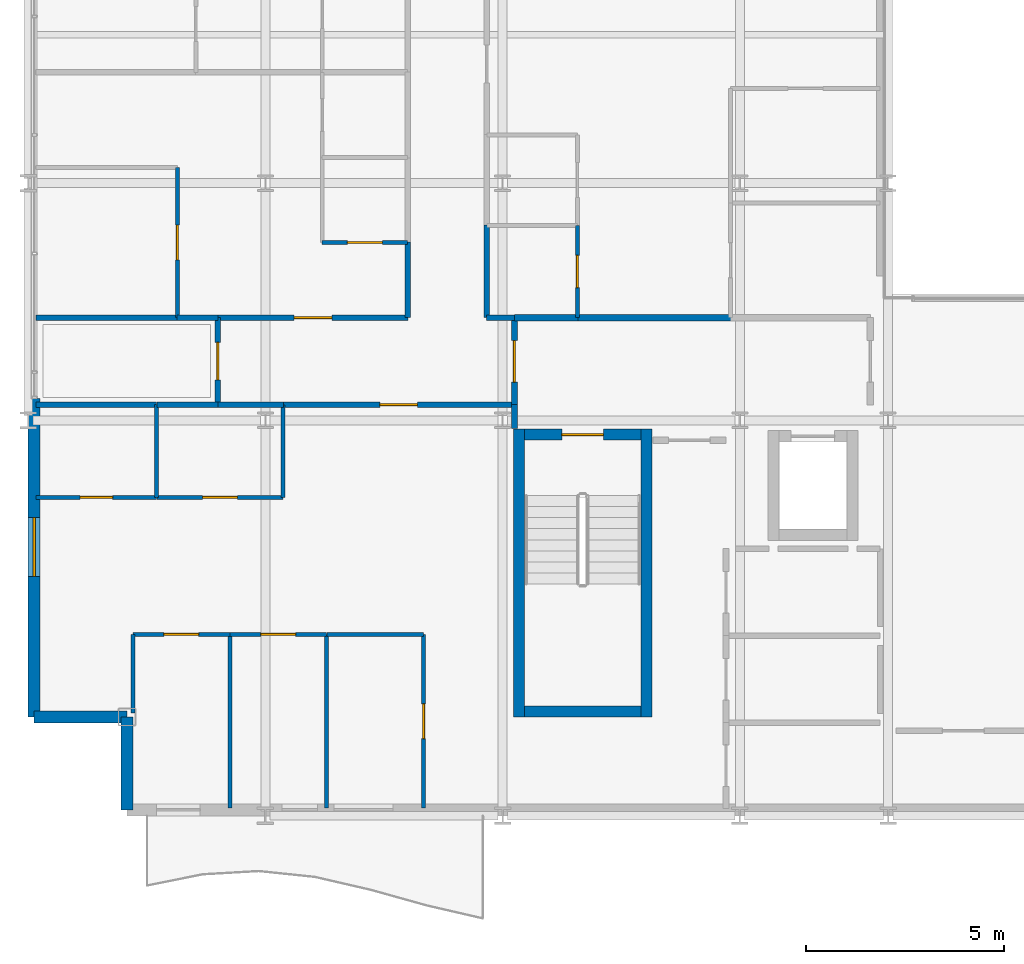
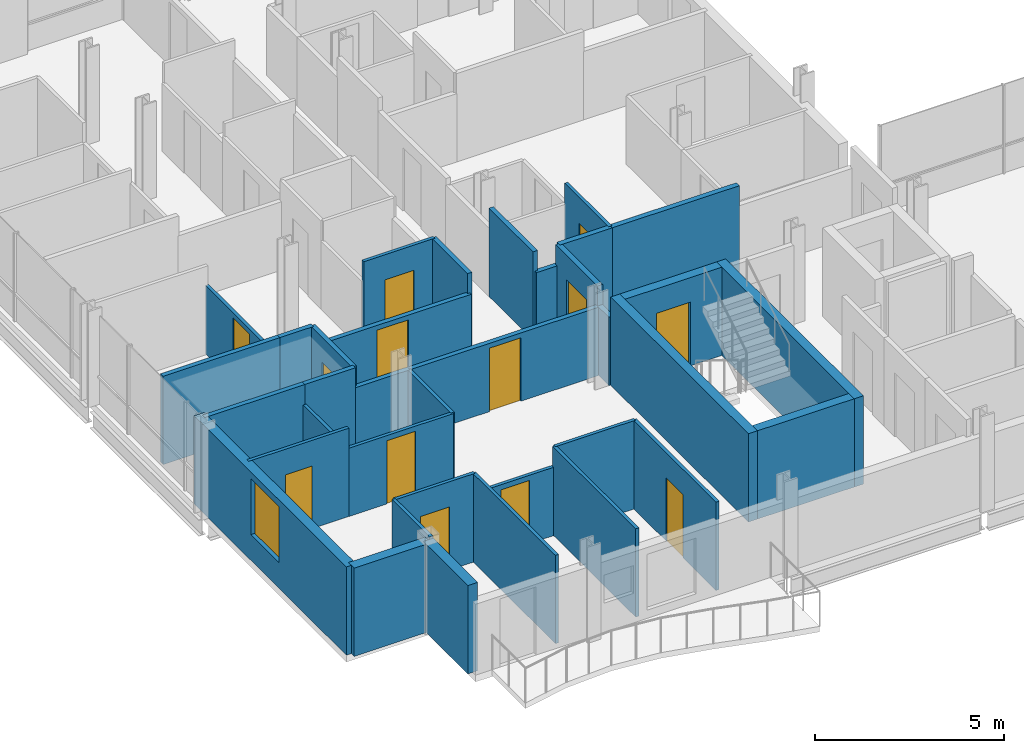
# One storey, part 31 of 40: 36 walls, 13 doors, 1 window, 14 openings.
"""IFC4 building model written with IfcOpenShell, lengths in metres."""

from ifc_helpers import new_model, si_unit, direction, frame, frame_2d, origin, place, context, subcontext, project, spatial, rectangle, extrude, material, layer, layer_set, type_object, element, fill, save


model = new_model("IFC4")

# Units and contexts
model_context = context("Model", 3, precision=1e-05, world=origin(), true_north=direction((0.0, 1.0)))
body_context = subcontext(model_context, "Body", "Model", "MODEL_VIEW")
ifc_project = project(units=[si_unit("LENGTHUNIT", "METRE"), si_unit("AREAUNIT", "SQUARE_METRE"), si_unit("VOLUMEUNIT", "CUBIC_METRE"), si_unit("PLANEANGLEUNIT", "RADIAN"), si_unit("MASSUNIT", "GRAM", prefix="KILO")], contexts=[model_context])

# Site, building, storey
site_placement = place(None, origin())
site = spatial("IfcSite", under=ifc_project, at=site_placement, CompositionType="ELEMENT")
building_placement = place(site_placement, origin())
building = spatial("IfcBuilding", under=site, at=building_placement, Name="Brevholm Reach", CompositionType="ELEMENT")
storey_placement = place(building_placement, frame((0.0, 0.0, 131.39990234375)))
storey = spatial("IfcBuildingStorey", under=building, at=storey_placement, Name="L39", CompositionType="ELEMENT", Elevation=131.39990234375)

# Walls
ifc_material_1 = material(Name="Concrete C50/60", Category="concrete")
ifc_layer_1 = layer(ifc_material_1, 0.280029296875)
ifc_layer_set_1 = layer_set([ifc_layer_1], Name="Concrete C50/60")
wall_type_1 = type_object("IfcWallType", Name="WAL-COR-280", PredefinedType="SHEAR", material=ifc_layer_set_1)
for number, where, z_axis, x_axis, name in (
    (1, (12.409912109375, 2.5, 0.0), (0.0, 0.0, 1.0), (0.0, 1.0, 0.0), "L39 Escape Stair ST-1 Core Wall W"),
    (2, (15.639892578125, 2.5, 0.0), (0.0, 0.0, 1.0), (0.0, 1.0, 0.0), "L39 Escape Stair ST-1 Core Wall E"),
):
    element("IfcWall", number, at=place(storey_placement, frame(where, z_axis=z_axis, x_axis=x_axis)), inside=storey, type_object=wall_type_1, Name=name, PredefinedType="SHEAR", context=body_context, shape_type="SweptSolid", body=[
        extrude(rectangle(XDim=7.280029296875, YDim=0.280029296875, at=frame_2d((3.64013671875, 0.0))), origin(), (0.0, 0.0, 1.0), 2.85009765625),
    ])
wall_1_placement = place(storey_placement, frame((12.550048828125, 2.639892578125, 0.0), z_axis=(0.0, 0.0, 1.0), x_axis=(1.0, 0.0, 0.0)))
element("IfcWall", 3, at=wall_1_placement, inside=storey, type_object=wall_type_1, Name="L39 Escape Stair ST-1 Core Wall S", PredefinedType="SHEAR", context=body_context, shape_type="SweptSolid", body=[
    extrude(rectangle(XDim=2.949951171875, YDim=0.280029296875, at=frame_2d((1.47509765625, 0.0))), origin(), (0.0, 0.0, 1.0), 2.85009765625),
])

# Wall, opening, door
wall_2_placement = place(storey_placement, frame((15.5, 9.639892578125, 0.0), z_axis=(0.0, 0.0, 1.0), x_axis=(-1.0, 0.0, 0.0)))
wall_2 = element("IfcWall", 4, at=wall_2_placement, inside=storey, type_object=wall_type_1, Name="L39 Escape Stair ST-1 Core Wall N", PredefinedType="SHEAR", context=body_context, shape_type="SweptSolid", body=[
    extrude(rectangle(XDim=2.949951171875, YDim=0.280029296875, at=frame_2d((1.47509765625, 0.0))), origin(), (0.0, 0.0, 1.0), 2.85009765625),
])
opening_1_placement = place(wall_2_placement, frame((0.949951171875, 0.0, 0.0)))
opening_1 = element("IfcOpeningElement", 5, at=opening_1_placement, cuts=wall_2, Name="Opening SD-ST-1", PredefinedType="OPENING", context=body_context, shape_type="SweptSolid", body=[
    extrude(rectangle(XDim=1.050048828125, YDim=2.06005859375, at=frame_2d((0.52490234375, 1.030029296875))), frame((0.0, 0.14990234375, 0.0), z_axis=(0.0, -1.0, 0.0), x_axis=(1.0, 0.0, 0.0)), (0.0, 0.0, 1.0), 0.300048828125),
])
ifc_material_2 = material(Name="Hardwood-Lipped Steel-Core Fire and Smoke Door", Category="steel")
door_type_1 = type_object("IfcDoorType", Name="DOR-INT-FD60S", OperationType="NOTDEFINED", PredefinedType="DOOR", material=ifc_material_2)
door_1_placement = place(opening_1_placement, origin())
door_1 = element("IfcDoor", 6, at=door_1_placement, inside=storey, type_object=door_type_1, Name="L39 Protected Stair ST-1 Lobby Door", OperationType="SINGLE_SWING_LEFT", OverallHeight=2.06005859375, OverallWidth=1.050048828125, PredefinedType="DOOR", context=body_context, shape_type="SweptSolid", body=[
    extrude(rectangle(XDim=1.050048828125, YDim=2.06005859375, at=frame_2d((0.52490234375, 1.030029296875))), frame((0.0, 0.02490234375, 0.0), z_axis=(0.0, -1.0, 0.0), x_axis=(1.0, 0.0, 0.0)), (0.0, 0.0, 1.0), 0.050048828125),
])
fill(opening_1, door_1)

# Walls
ifc_material_3 = material(Name="Concrete C40/50", Category="concrete")
ifc_layer_2 = layer(ifc_material_3, 0.300048828125)
ifc_layer_set_2 = layer_set([ifc_layer_2], Name="Concrete C40/50")
wall_type_2 = type_object("IfcWallType", Name="WAL-EXT-300", PredefinedType="STANDARD", material=ifc_layer_set_2)
for number, where, z_axis, x_axis, name in (
    (7, (2.5, 2.5, 0.0), (0.0, 0.0, 1.0), (0.0, -1.0, 0.0), "L39 Facade Wall WAL-L39-CSW1"),
    (8, (0.14990234375, 2.5, 0.0), (0.0, 0.0, 1.0), (1.0, 0.0, 0.0), "L39 Facade Wall WAL-L39-CSW2"),
):
    element("IfcWall", number, at=place(storey_placement, frame(where, z_axis=z_axis, x_axis=x_axis)), inside=storey, type_object=wall_type_2, Name=name, PredefinedType="STANDARD", context=body_context, shape_type="SweptSolid", body=[
        extrude(rectangle(XDim=2.35009765625, YDim=0.300048828125, at=frame_2d((1.175048828125, 0.0))), origin(), (0.0, 0.0, 1.0), 2.85009765625),
    ])

# Wall, opening, window
wall_3_placement = place(storey_placement, frame((0.14990234375, 10.550048828125, 0.0), z_axis=(0.0, 0.0, 1.0), x_axis=(0.0, -1.0, 0.0)))
wall_3 = element("IfcWall", 9, at=wall_3_placement, inside=storey, type_object=wall_type_2, Name="L39 Facade Wall WAL-L39-W-S", PredefinedType="STANDARD", context=body_context, shape_type="SweptSolid", body=[
    extrude(rectangle(XDim=8.050048828125, YDim=0.300048828125, at=frame_2d((4.02490234375, 0.0))), origin(), (0.0, 0.0, 1.0), 2.85009765625),
])
opening_2_placement = place(wall_3_placement, frame((3.0, 0.0, 0.830078125)))
opening_2 = element("IfcOpeningElement", 10, at=opening_2_placement, cuts=wall_3, Name="Opening WN-05", PredefinedType="OPENING", context=body_context, shape_type="SweptSolid", body=[
    extrude(rectangle(XDim=1.5, YDim=1.800048828125, at=frame_2d((0.75, 0.89990234375))), frame((0.0, 0.159912109375, 0.0), z_axis=(0.0, -1.0, 0.0), x_axis=(1.0, 0.0, 0.0)), (0.0, 0.0, 1.0), 0.320068359375),
])
ifc_material_4 = material(Name="Dark Anodised Aluminium and Solar-Control IGU Glass", Category="aluminium")
window_type = type_object("IfcWindowType", Name="WIN-RES-1500", PartitioningType="SINGLE_PANEL", PredefinedType="WINDOW", material=ifc_material_4)
window_placement = place(opening_2_placement, origin())
window = element("IfcWindow", 11, at=window_placement, inside=storey, type_object=window_type, Name="L39 Window WIN-L39-WS-1", OverallHeight=1.800048828125, OverallWidth=1.5, PartitioningType="SINGLE_PANEL", PredefinedType="WINDOW", context=body_context, shape_type="SweptSolid", body=[
    extrude(rectangle(XDim=1.5, YDim=1.800048828125, at=frame_2d((0.75, 0.89990234375))), frame((0.0, 0.030029296875, 0.0), z_axis=(0.0, -1.0, 0.0), x_axis=(1.0, 0.0, 0.0)), (0.0, 0.0, 1.0), 0.06005859375),
])
fill(opening_2, window)

# Wall
ifc_material_5 = material(Name="Moisture-Resistant Acoustic Gypsum Stud Partition 100 mm", Category="gypsum")
ifc_layer_3 = layer(ifc_material_5, 0.10009765625)
ifc_layer_set_3 = layer_set([ifc_layer_3], Name="Moisture-Resistant Acoustic Gypsum Stud Partition 100 mm")
wall_type_3 = type_object("IfcWallType", Name="WAL-PRT-100", PredefinedType="PARTITIONING", material=ifc_layer_set_3)
wall_4_placement = place(storey_placement, frame((3.25, 8.053955078125, 0.0), z_axis=(0.0, 0.0, 1.0), x_axis=(0.0, 1.0, 0.0)))
element("IfcWall", 12, at=wall_4_placement, inside=storey, type_object=wall_type_3, Name="L39 Internal Partition 063", PredefinedType="PARTITIONING", context=body_context, shape_type="SweptSolid", body=[
    extrude(rectangle(XDim=2.345947265625, YDim=0.10009765625, at=frame_2d((1.1728515625, 0.0))), origin(), (0.0, 0.0, 1.0), 2.204833984375),
])

# Wall, opening, door
wall_5_placement = place(storey_placement, frame((0.199951171875, 8.053955078125, 0.0), z_axis=(0.0, 0.0, 1.0), x_axis=(1.0, 0.0, 0.0)))
wall_5 = element("IfcWall", 13, at=wall_5_placement, inside=storey, type_object=wall_type_3, Name="L39 Internal Partition 064", PredefinedType="PARTITIONING", context=body_context, shape_type="SweptSolid", body=[
    extrude(rectangle(XDim=3.050048828125, YDim=0.10009765625, at=frame_2d((1.52490234375, 0.0))), origin(), (0.0, 0.0, 1.0), 2.85009765625),
])
opening_3_placement = place(wall_5_placement, frame((1.114990234375, 0.0, 0.0)))
opening_3 = element("IfcOpeningElement", 14, at=opening_3_placement, cuts=wall_5, Name="Opening ID-03", PredefinedType="OPENING", context=body_context, shape_type="SweptSolid", body=[
    extrude(rectangle(XDim=0.820068359375, YDim=2.02001953125, at=frame_2d((0.41015625, 1.010009765625))), frame((0.0, 0.06005859375, 0.0), z_axis=(0.0, -1.0, 0.0), x_axis=(1.0, 0.0, 0.0)), (0.0, 0.0, 1.0), 0.1201171875),
])
ifc_material_6 = material(Name="Moisture-Resistant Painted Timber Internal Bathroom Door", Category="wood")
door_type_2 = type_object("IfcDoorType", Name="DOR-BATH-820", OperationType="NOTDEFINED", PredefinedType="DOOR", material=ifc_material_6)
door_2_placement = place(opening_3_placement, origin())
door_2 = element("IfcDoor", 15, at=door_2_placement, inside=storey, type_object=door_type_2, Name="L39 Internal Door 025", OperationType="SINGLE_SWING_RIGHT", OverallHeight=2.02001953125, OverallWidth=0.820068359375, PredefinedType="DOOR", context=body_context, shape_type="SweptSolid", body=[
    extrude(rectangle(XDim=0.820068359375, YDim=2.02001953125, at=frame_2d((0.41015625, 1.010009765625))), frame((0.0, 0.02490234375, 0.0), z_axis=(0.0, -1.0, 0.0), x_axis=(1.0, 0.0, 0.0)), (0.0, 0.0, 1.0), 0.050048828125),
])
fill(opening_3, door_2)

wall_6_placement = place(storey_placement, frame((3.25390625, 8.053955078125, 0.0), z_axis=(0.0, 0.0, 1.0), x_axis=(1.0, 0.0, 0.0)))
wall_6 = element("IfcWall", 16, at=wall_6_placement, inside=storey, type_object=wall_type_3, Name="L39 Internal Partition 066", PredefinedType="PARTITIONING", context=body_context, shape_type="SweptSolid", body=[
    extrude(rectangle(XDim=3.196044921875, YDim=0.10009765625, at=frame_2d((1.59814453125, 0.0))), origin(), (0.0, 0.0, 1.0), 2.204833984375),
])
opening_4_placement = place(wall_6_placement, frame((1.157958984375, 0.0, 0.0)))
opening_4 = element("IfcOpeningElement", 17, at=opening_4_placement, cuts=wall_6, Name="Opening ID-01", PredefinedType="OPENING", context=body_context, shape_type="SweptSolid", body=[
    extrude(rectangle(XDim=0.8798828125, YDim=2.0400390625, at=frame_2d((0.43994140625, 1.02001953125))), frame((0.0, 0.06005859375, 0.0), z_axis=(0.0, -1.0, 0.0), x_axis=(1.0, 0.0, 0.0)), (0.0, 0.0, 1.0), 0.1201171875),
])
ifc_material_7 = material(Name="Lacquered Ash Solid-Core Acoustic Internal Door", Category="timber")
door_type_3 = type_object("IfcDoorType", Name="DOR-INT-880", OperationType="NOTDEFINED", PredefinedType="DOOR", material=ifc_material_7)
door_3_placement = place(opening_4_placement, origin())
door_3 = element("IfcDoor", 18, at=door_3_placement, inside=storey, type_object=door_type_3, Name="L39 Internal Door 026", OperationType="SINGLE_SWING_LEFT", OverallHeight=2.0400390625, OverallWidth=0.8798828125, PredefinedType="DOOR", context=body_context, shape_type="SweptSolid", body=[
    extrude(rectangle(XDim=0.8798828125, YDim=2.0400390625, at=frame_2d((0.43994140625, 1.02001953125))), frame((0.0, 0.02490234375, 0.0), z_axis=(0.0, -1.0, 0.0), x_axis=(1.0, 0.0, 0.0)), (0.0, 0.0, 1.0), 0.050048828125),
])
fill(opening_4, door_3)

# Walls
wall_7_placement = place(storey_placement, frame((6.449951171875, 8.053955078125, 0.0), z_axis=(0.0, 0.0, 1.0), x_axis=(0.0, 1.0, 0.0)))
element("IfcWall", 19, at=wall_7_placement, inside=storey, type_object=wall_type_3, Name="L39 Internal Partition 067", PredefinedType="PARTITIONING", context=body_context, shape_type="SweptSolid", body=[
    extrude(rectangle(XDim=2.342041015625, YDim=0.10009765625, at=frame_2d((1.1708984375, 0.0))), origin(), (0.0, 0.0, 1.0), 2.204833984375),
])
wall_8_placement = place(storey_placement, frame((5.10009765625, 0.199951171875, 0.0), z_axis=(0.0, 0.0, 1.0), x_axis=(0.0, 1.0, 0.0)))
element("IfcWall", 20, at=wall_8_placement, inside=storey, type_object=wall_type_3, Name="L39 Internal Partition 069", PredefinedType="PARTITIONING", context=body_context, shape_type="SweptSolid", body=[
    extrude(rectangle(XDim=4.385986328125, YDim=0.10009765625, at=frame_2d((2.19287109375, 0.0))), origin(), (0.0, 0.0, 1.0), 2.85009765625),
])
wall_9_placement = place(storey_placement, frame((2.64990234375, 2.599365234375, 0.0), z_axis=(0.0, 0.0, 1.0), x_axis=(0.0, 1.0, 0.0)))
element("IfcWall", 21, at=wall_9_placement, inside=storey, type_object=wall_type_3, Name="L39 Internal Partition 070", PredefinedType="PARTITIONING", context=body_context, shape_type="SweptSolid", body=[
    extrude(rectangle(XDim=1.986572265625, YDim=0.10009765625, at=frame_2d((0.9931640625, 0.0))), origin(), (0.0, 0.0, 1.0), 2.85009765625),
])

# Wall, opening, door
wall_10_placement = place(storey_placement, frame((2.64990234375, 4.5859375, 0.0), z_axis=(0.0, 0.0, 1.0), x_axis=(1.0, 0.0, 0.0)))
wall_10 = element("IfcWall", 22, at=wall_10_placement, inside=storey, type_object=wall_type_3, Name="L39 Internal Partition 071", PredefinedType="PARTITIONING", context=body_context, shape_type="SweptSolid", body=[
    extrude(rectangle(XDim=2.4501953125, YDim=0.10009765625, at=frame_2d((1.22509765625, 0.0))), origin(), (0.0, 0.0, 1.0), 2.85009765625),
])
opening_5_placement = place(wall_10_placement, frame((0.784912109375, 0.0, 0.0)))
opening_5 = element("IfcOpeningElement", 23, at=opening_5_placement, cuts=wall_10, Name="Opening ID-01", PredefinedType="OPENING", context=body_context, shape_type="SweptSolid", body=[
    extrude(rectangle(XDim=0.8798828125, YDim=2.0400390625, at=frame_2d((0.43994140625, 1.02001953125))), frame((0.0, 0.06005859375, 0.0), z_axis=(0.0, -1.0, 0.0), x_axis=(1.0, 0.0, 0.0)), (0.0, 0.0, 1.0), 0.1201171875),
])
door_4_placement = place(opening_5_placement, origin())
door_4 = element("IfcDoor", 24, at=door_4_placement, inside=storey, type_object=door_type_3, Name="L39 Internal Door 027", OperationType="SINGLE_SWING_RIGHT", OverallHeight=2.0400390625, OverallWidth=0.8798828125, PredefinedType="DOOR", context=body_context, shape_type="SweptSolid", body=[
    extrude(rectangle(XDim=0.8798828125, YDim=2.0400390625, at=frame_2d((0.43994140625, 1.02001953125))), frame((0.0, 0.02490234375, 0.0), z_axis=(0.0, -1.0, 0.0), x_axis=(1.0, 0.0, 0.0)), (0.0, 0.0, 1.0), 0.050048828125),
])
fill(opening_5, door_4)

# Wall
wall_11_placement = place(storey_placement, frame((7.550048828125, 0.199951171875, 0.0), z_axis=(0.0, 0.0, 1.0), x_axis=(0.0, 1.0, 0.0)))
element("IfcWall", 25, at=wall_11_placement, inside=storey, type_object=wall_type_3, Name="L39 Internal Partition 072", PredefinedType="PARTITIONING", context=body_context, shape_type="SweptSolid", body=[
    extrude(rectangle(XDim=4.385986328125, YDim=0.10009765625, at=frame_2d((2.19287109375, 0.0))), origin(), (0.0, 0.0, 1.0), 2.85009765625),
])

# Wall, opening, door
wall_12_placement = place(storey_placement, frame((5.10400390625, 4.5859375, 0.0), z_axis=(0.0, 0.0, 1.0), x_axis=(1.0, 0.0, 0.0)))
wall_12 = element("IfcWall", 26, at=wall_12_placement, inside=storey, type_object=wall_type_3, Name="L39 Internal Partition 073", PredefinedType="PARTITIONING", context=body_context, shape_type="SweptSolid", body=[
    extrude(rectangle(XDim=2.446044921875, YDim=0.10009765625, at=frame_2d((1.22314453125, 0.0))), origin(), (0.0, 0.0, 1.0), 2.204833984375),
])
opening_6_placement = place(wall_12_placement, frame((0.782958984375, 0.0, 0.0)))
opening_6 = element("IfcOpeningElement", 27, at=opening_6_placement, cuts=wall_12, Name="Opening ID-01", PredefinedType="OPENING", context=body_context, shape_type="SweptSolid", body=[
    extrude(rectangle(XDim=0.8798828125, YDim=2.0400390625, at=frame_2d((0.43994140625, 1.02001953125))), frame((0.0, 0.06005859375, 0.0), z_axis=(0.0, -1.0, 0.0), x_axis=(1.0, 0.0, 0.0)), (0.0, 0.0, 1.0), 0.1201171875),
])
door_5_placement = place(opening_6_placement, origin())
door_5 = element("IfcDoor", 28, at=door_5_placement, inside=storey, type_object=door_type_3, Name="L39 Internal Door 028", OperationType="SINGLE_SWING_LEFT", OverallHeight=2.0400390625, OverallWidth=0.8798828125, PredefinedType="DOOR", context=body_context, shape_type="SweptSolid", body=[
    extrude(rectangle(XDim=0.8798828125, YDim=2.0400390625, at=frame_2d((0.43994140625, 1.02001953125))), frame((0.0, 0.02490234375, 0.0), z_axis=(0.0, -1.0, 0.0), x_axis=(1.0, 0.0, 0.0)), (0.0, 0.0, 1.0), 0.050048828125),
])
fill(opening_6, door_5)

wall_13_placement = place(storey_placement, frame((10.0, 0.199951171875, 0.0), z_axis=(0.0, 0.0, 1.0), x_axis=(0.0, 1.0, 0.0)))
wall_13 = element("IfcWall", 29, at=wall_13_placement, inside=storey, type_object=wall_type_3, Name="L39 Internal Partition 074", PredefinedType="PARTITIONING", context=body_context, shape_type="SweptSolid", body=[
    extrude(rectangle(XDim=4.385986328125, YDim=0.10009765625, at=frame_2d((2.19287109375, 0.0))), origin(), (0.0, 0.0, 1.0), 2.85009765625),
])
opening_7_placement = place(wall_13_placement, frame((1.7529296875, 0.0, 0.0)))
opening_7 = element("IfcOpeningElement", 30, at=opening_7_placement, cuts=wall_13, Name="Opening ID-01", PredefinedType="OPENING", context=body_context, shape_type="SweptSolid", body=[
    extrude(rectangle(XDim=0.8798828125, YDim=2.0400390625, at=frame_2d((0.43994140625, 1.02001953125))), frame((0.0, 0.06005859375, 0.0), z_axis=(0.0, -1.0, 0.0), x_axis=(1.0, 0.0, 0.0)), (0.0, 0.0, 1.0), 0.1201171875),
])
door_6_placement = place(opening_7_placement, origin())
door_6 = element("IfcDoor", 31, at=door_6_placement, inside=storey, type_object=door_type_3, Name="L39 Internal Door 029", OperationType="SINGLE_SWING_RIGHT", OverallHeight=2.0400390625, OverallWidth=0.8798828125, PredefinedType="DOOR", context=body_context, shape_type="SweptSolid", body=[
    extrude(rectangle(XDim=0.8798828125, YDim=2.0400390625, at=frame_2d((0.43994140625, 1.02001953125))), frame((0.0, 0.02490234375, 0.0), z_axis=(0.0, -1.0, 0.0), x_axis=(1.0, 0.0, 0.0)), (0.0, 0.0, 1.0), 0.050048828125),
])
fill(opening_7, door_6)

# Wall
wall_14_placement = place(storey_placement, frame((7.553955078125, 4.5859375, 0.0), z_axis=(0.0, 0.0, 1.0), x_axis=(1.0, 0.0, 0.0)))
element("IfcWall", 32, at=wall_14_placement, inside=storey, type_object=wall_type_3, Name="L39 Internal Partition 075", PredefinedType="PARTITIONING", context=body_context, shape_type="SweptSolid", body=[
    extrude(rectangle(XDim=2.446044921875, YDim=0.10009765625, at=frame_2d((1.22314453125, 0.0))), origin(), (0.0, 0.0, 1.0), 2.85009765625),
])

# Wall, opening, door
wall_15_placement = place(storey_placement, frame((7.43798828125, 14.5, 0.0), z_axis=(0.0, 0.0, 1.0), x_axis=(1.0, 0.0, 0.0)))
wall_15 = element("IfcWall", 33, at=wall_15_placement, inside=storey, type_object=wall_type_3, Name="L39 Internal Partition 091", PredefinedType="PARTITIONING", context=body_context, shape_type="SweptSolid", body=[
    extrude(rectangle(XDim=2.157958984375, YDim=0.10009765625, at=frame_2d((1.0791015625, 0.0))), origin(), (0.0, 0.0, 1.0), 2.85009765625),
])
opening_8_placement = place(wall_15_placement, frame((0.638916015625, 0.0, 0.0)))
opening_8 = element("IfcOpeningElement", 34, at=opening_8_placement, cuts=wall_15, Name="Opening ID-01", PredefinedType="OPENING", context=body_context, shape_type="SweptSolid", body=[
    extrude(rectangle(XDim=0.8798828125, YDim=2.0400390625, at=frame_2d((0.43994140625, 1.02001953125))), frame((0.0, 0.06005859375, 0.0), z_axis=(0.0, -1.0, 0.0), x_axis=(1.0, 0.0, 0.0)), (0.0, 0.0, 1.0), 0.1201171875),
])
door_7_placement = place(opening_8_placement, origin())
door_7 = element("IfcDoor", 35, at=door_7_placement, inside=storey, type_object=door_type_3, Name="L39 Internal Door 034", OperationType="SINGLE_SWING_LEFT", OverallHeight=2.0400390625, OverallWidth=0.8798828125, PredefinedType="DOOR", context=body_context, shape_type="SweptSolid", body=[
    extrude(rectangle(XDim=0.8798828125, YDim=2.0400390625, at=frame_2d((0.43994140625, 1.02001953125))), frame((0.0, 0.02490234375, 0.0), z_axis=(0.0, -1.0, 0.0), x_axis=(1.0, 0.0, 0.0)), (0.0, 0.0, 1.0), 0.050048828125),
])
fill(opening_8, door_7)

wall_16_placement = place(storey_placement, frame((3.77197265625, 12.60400390625, 0.0), z_axis=(0.0, 0.0, 1.0), x_axis=(0.0, 1.0, 0.0)))
wall_16 = element("IfcWall", 36, at=wall_16_placement, inside=storey, type_object=wall_type_3, Name="L39 Internal Partition 093", PredefinedType="PARTITIONING", context=body_context, shape_type="SweptSolid", body=[
    extrude(rectangle(XDim=3.7958984375, YDim=0.10009765625, at=frame_2d((1.89794921875, 0.0))), origin(), (0.0, 0.0, 1.0), 2.204833984375),
])
opening_9_placement = place(wall_16_placement, frame((1.4580078125, 0.0, 0.0)))
opening_9 = element("IfcOpeningElement", 37, at=opening_9_placement, cuts=wall_16, Name="Opening ID-01", PredefinedType="OPENING", context=body_context, shape_type="SweptSolid", body=[
    extrude(rectangle(XDim=0.8798828125, YDim=2.0400390625, at=frame_2d((0.43994140625, 1.02001953125))), frame((0.0, 0.06005859375, 0.0), z_axis=(0.0, -1.0, 0.0), x_axis=(1.0, 0.0, 0.0)), (0.0, 0.0, 1.0), 0.1201171875),
])
door_8_placement = place(opening_9_placement, origin())
door_8 = element("IfcDoor", 38, at=door_8_placement, inside=storey, type_object=door_type_3, Name="L39 Internal Door 035", OperationType="SINGLE_SWING_RIGHT", OverallHeight=2.0400390625, OverallWidth=0.8798828125, PredefinedType="DOOR", context=body_context, shape_type="SweptSolid", body=[
    extrude(rectangle(XDim=0.8798828125, YDim=2.0400390625, at=frame_2d((0.43994140625, 1.02001953125))), frame((0.0, 0.02490234375, 0.0), z_axis=(0.0, -1.0, 0.0), x_axis=(1.0, 0.0, 0.0)), (0.0, 0.0, 1.0), 0.050048828125),
])
fill(opening_9, door_8)

wall_17_placement = place(storey_placement, frame((13.888916015625, 12.60400390625, 0.0), z_axis=(0.0, 0.0, 1.0), x_axis=(0.0, 1.0, 0.0)))
wall_17 = element("IfcWall", 39, at=wall_17_placement, inside=storey, type_object=wall_type_3, Name="L39 Internal Partition 108", PredefinedType="PARTITIONING", context=body_context, shape_type="SweptSolid", body=[
    extrude(rectangle(XDim=2.323974609375, YDim=0.10009765625, at=frame_2d((1.162109375, 0.0))), origin(), (0.0, 0.0, 1.0), 2.85009765625),
])
opening_10_placement = place(wall_17_placement, frame((0.751953125, 0.0, 0.0)))
opening_10 = element("IfcOpeningElement", 40, at=opening_10_placement, cuts=wall_17, Name="Opening ID-03", PredefinedType="OPENING", context=body_context, shape_type="SweptSolid", body=[
    extrude(rectangle(XDim=0.820068359375, YDim=2.02001953125, at=frame_2d((0.41015625, 1.010009765625))), frame((0.0, 0.06005859375, 0.0), z_axis=(0.0, -1.0, 0.0), x_axis=(1.0, 0.0, 0.0)), (0.0, 0.0, 1.0), 0.1201171875),
])
door_9_placement = place(opening_10_placement, origin())
door_9 = element("IfcDoor", 41, at=door_9_placement, inside=storey, type_object=door_type_2, Name="L39 Internal Door 041", OperationType="SINGLE_SWING_RIGHT", OverallHeight=2.02001953125, OverallWidth=0.820068359375, PredefinedType="DOOR", context=body_context, shape_type="SweptSolid", body=[
    extrude(rectangle(XDim=0.820068359375, YDim=2.02001953125, at=frame_2d((0.41015625, 1.010009765625))), frame((0.0, 0.02490234375, 0.0), z_axis=(0.0, -1.0, 0.0), x_axis=(1.0, 0.0, 0.0)), (0.0, 0.0, 1.0), 0.050048828125),
])
fill(opening_10, door_9)

# Wall
ifc_material_8 = material(Name="Twin-Stud Acoustic Fire-Rated Gypsum Partition 140 mm", Category="gypsum")
ifc_layer_4 = layer(ifc_material_8, 0.139892578125)
ifc_layer_set_4 = layer_set([ifc_layer_4], Name="Twin-Stud Acoustic Fire-Rated Gypsum Partition 140 mm")
wall_type_4 = type_object("IfcWallType", Name="WAL-PRT-140", PredefinedType="PARTITIONING", material=ifc_layer_set_4)
wall_18_placement = place(storey_placement, frame((4.800048828125, 10.39990234375, 0.0), z_axis=(0.0, 0.0, 1.0), x_axis=(1.0, 0.0, 0.0)))
element("IfcWall", 42, at=wall_18_placement, inside=storey, type_object=wall_type_4, Name="L39 Internal Partition 027", PredefinedType="PARTITIONING", context=body_context, shape_type="SweptSolid", body=[
    extrude(rectangle(XDim=1.6611328125, YDim=0.139892578125, at=frame_2d((0.83056640625, 0.0))), origin(), (0.0, 0.0, 1.0), 2.204833984375),
])

# Wall, opening, door
wall_19_placement = place(storey_placement, frame((6.442626953125, 10.39990234375, 0.0), z_axis=(0.0, 0.0, 1.0), x_axis=(1.0, 0.0, 0.0)))
wall_19 = element("IfcWall", 43, at=wall_19_placement, inside=storey, type_object=wall_type_4, Name="L39 Internal Partition 028", PredefinedType="PARTITIONING", context=body_context, shape_type="SweptSolid", body=[
    extrude(rectangle(XDim=5.853271484375, YDim=0.139892578125, at=frame_2d((2.9267578125, 0.0))), origin(), (0.0, 0.0, 1.0), 2.204833984375),
])
opening_11_placement = place(wall_19_placement, frame((2.45166015625, 0.0, 0.0)))
opening_11 = element("IfcOpeningElement", 44, at=opening_11_placement, cuts=wall_19, Name="Opening ID-30", PredefinedType="OPENING", context=body_context, shape_type="SweptSolid", body=[
    extrude(rectangle(XDim=0.949951171875, YDim=2.050048828125, at=frame_2d((0.47509765625, 1.02490234375))), frame((0.0, 0.079833984375, 0.0), z_axis=(0.0, -1.0, 0.0), x_axis=(1.0, 0.0, 0.0)), (0.0, 0.0, 1.0), 0.159912109375),
])
ifc_material_9 = material(Name="European Oak Veneered Solid-Core Fire Entrance Door", Category="timber")
door_type_4 = type_object("IfcDoorType", Name="DOR-FLT-FD30S", OperationType="NOTDEFINED", PredefinedType="DOOR", material=ifc_material_9)
door_10_placement = place(opening_11_placement, origin())
door_10 = element("IfcDoor", 45, at=door_10_placement, inside=storey, type_object=door_type_4, Name="L39 Internal Door 015", OperationType="SINGLE_SWING_RIGHT", OverallHeight=2.050048828125, OverallWidth=0.949951171875, PredefinedType="DOOR", context=body_context, shape_type="SweptSolid", body=[
    extrude(rectangle(XDim=0.949951171875, YDim=2.050048828125, at=frame_2d((0.47509765625, 1.02490234375))), frame((0.0, 0.02490234375, 0.0), z_axis=(0.0, -1.0, 0.0), x_axis=(1.0, 0.0, 0.0)), (0.0, 0.0, 1.0), 0.050048828125),
])
fill(opening_11, door_10)

wall_20_placement = place(storey_placement, frame((4.800048828125, 10.39990234375, 0.0), z_axis=(0.0, 0.0, 1.0), x_axis=(0.0, 1.0, 0.0)))
wall_20 = element("IfcWall", 46, at=wall_20_placement, inside=storey, type_object=wall_type_4, Name="L39 Internal Partition 029", PredefinedType="PARTITIONING", context=body_context, shape_type="SweptSolid", body=[
    extrude(rectangle(XDim=2.2001953125, YDim=0.139892578125, at=frame_2d((1.10009765625, 0.0))), origin(), (0.0, 0.0, 1.0), 2.85009765625),
])
opening_12_placement = place(wall_20_placement, frame((0.625, 0.0, 0.0)))
opening_12 = element("IfcOpeningElement", 47, at=opening_12_placement, cuts=wall_20, Name="Opening ID-30", PredefinedType="OPENING", context=body_context, shape_type="SweptSolid", body=[
    extrude(rectangle(XDim=0.949951171875, YDim=2.050048828125, at=frame_2d((0.47509765625, 1.02490234375))), frame((0.0, 0.079833984375, 0.0), z_axis=(0.0, -1.0, 0.0), x_axis=(1.0, 0.0, 0.0)), (0.0, 0.0, 1.0), 0.159912109375),
])
door_11_placement = place(opening_12_placement, origin())
door_11 = element("IfcDoor", 48, at=door_11_placement, inside=storey, type_object=door_type_4, Name="L39 Internal Door 016", OperationType="SINGLE_SWING_LEFT", OverallHeight=2.050048828125, OverallWidth=0.949951171875, PredefinedType="DOOR", context=body_context, shape_type="SweptSolid", body=[
    extrude(rectangle(XDim=0.949951171875, YDim=2.050048828125, at=frame_2d((0.47509765625, 1.02490234375))), frame((0.0, 0.02490234375, 0.0), z_axis=(0.0, -1.0, 0.0), x_axis=(1.0, 0.0, 0.0)), (0.0, 0.0, 1.0), 0.050048828125),
])
fill(opening_12, door_11)

wall_21_placement = place(storey_placement, frame((4.800048828125, 12.60009765625, 0.0), z_axis=(0.0, 0.0, 1.0), x_axis=(1.0, 0.0, 0.0)))
wall_21 = element("IfcWall", 49, at=wall_21_placement, inside=storey, type_object=wall_type_4, Name="L39 Internal Partition 030", PredefinedType="PARTITIONING", context=body_context, shape_type="SweptSolid", body=[
    extrude(rectangle(XDim=4.807373046875, YDim=0.139892578125, at=frame_2d((2.40380859375, 0.0))), origin(), (0.0, 0.0, 1.0), 2.204833984375),
])
opening_13_placement = place(wall_21_placement, frame((1.9287109375, 0.0, 0.0)))
opening_13 = element("IfcOpeningElement", 50, at=opening_13_placement, cuts=wall_21, Name="Opening ID-30", PredefinedType="OPENING", context=body_context, shape_type="SweptSolid", body=[
    extrude(rectangle(XDim=0.949951171875, YDim=2.050048828125, at=frame_2d((0.47509765625, 1.02490234375))), frame((0.0, 0.079833984375, 0.0), z_axis=(0.0, -1.0, 0.0), x_axis=(1.0, 0.0, 0.0)), (0.0, 0.0, 1.0), 0.159912109375),
])
door_12_placement = place(opening_13_placement, origin())
door_12 = element("IfcDoor", 51, at=door_12_placement, inside=storey, type_object=door_type_4, Name="L39 Internal Door 017", OperationType="SINGLE_SWING_RIGHT", OverallHeight=2.050048828125, OverallWidth=0.949951171875, PredefinedType="DOOR", context=body_context, shape_type="SweptSolid", body=[
    extrude(rectangle(XDim=0.949951171875, YDim=2.050048828125, at=frame_2d((0.47509765625, 1.02490234375))), frame((0.0, 0.02490234375, 0.0), z_axis=(0.0, -1.0, 0.0), x_axis=(1.0, 0.0, 0.0)), (0.0, 0.0, 1.0), 0.050048828125),
])
fill(opening_13, door_12)

# Walls
wall_22_placement = place(storey_placement, frame((11.5927734375, 12.60009765625, 0.0), z_axis=(0.0, 0.0, 1.0), x_axis=(1.0, 0.0, 0.0)))
element("IfcWall", 52, at=wall_22_placement, inside=storey, type_object=wall_type_4, Name="L39 Internal Partition 031", PredefinedType="PARTITIONING", context=body_context, shape_type="SweptSolid", body=[
    extrude(rectangle(XDim=0.703125, YDim=0.139892578125, at=frame_2d((0.3515625, 0.0))), origin(), (0.0, 0.0, 1.0), 2.204833984375),
])
wall_23_placement = place(storey_placement, frame((9.60009765625, 12.60400390625, 0.0), z_axis=(0.0, 0.0, 1.0), x_axis=(0.0, 1.0, 0.0)))
element("IfcWall", 53, at=wall_23_placement, inside=storey, type_object=wall_type_4, Name="L39 Internal Partition 037", PredefinedType="PARTITIONING", context=body_context, shape_type="SweptSolid", body=[
    extrude(rectangle(XDim=1.9033203125, YDim=0.139892578125, at=frame_2d((0.95166015625, 0.0))), origin(), (0.0, 0.0, 1.0), 2.85009765625),
])
wall_24_placement = place(storey_placement, frame((11.60009765625, 12.60400390625, 0.0), z_axis=(0.0, 0.0, 1.0), x_axis=(0.0, 1.0, 0.0)))
element("IfcWall", 54, at=wall_24_placement, inside=storey, type_object=wall_type_4, Name="L39 Internal Partition 041", PredefinedType="PARTITIONING", context=body_context, shape_type="SweptSolid", body=[
    extrude(rectangle(XDim=2.335205078125, YDim=0.139892578125, at=frame_2d((1.16748046875, 0.0))), origin(), (0.0, 0.0, 1.0), 2.85009765625),
])
wall_25_placement = place(storey_placement, frame((0.199951171875, 10.39990234375, 0.0), z_axis=(0.0, 0.0, 1.0), x_axis=(1.0, 0.0, 0.0)))
element("IfcWall", 55, at=wall_25_placement, inside=storey, type_object=wall_type_4, Name="L39 Internal Partition 065", PredefinedType="PARTITIONING", context=body_context, shape_type="SweptSolid", body=[
    extrude(rectangle(XDim=3.050048828125, YDim=0.139892578125, at=frame_2d((1.52490234375, 0.0))), origin(), (0.0, 0.0, 1.0), 2.85009765625),
])
wall_26_placement = place(storey_placement, frame((3.25390625, 10.39990234375, 0.0), z_axis=(0.0, 0.0, 1.0), x_axis=(1.0, 0.0, 0.0)))
element("IfcWall", 56, at=wall_26_placement, inside=storey, type_object=wall_type_4, Name="L39 Internal Partition 068", PredefinedType="PARTITIONING", context=body_context, shape_type="SweptSolid", body=[
    extrude(rectangle(XDim=1.5419921875, YDim=0.139892578125, at=frame_2d((0.77099609375, 0.0))), origin(), (0.0, 0.0, 1.0), 2.85009765625),
])
wall_27_placement = place(storey_placement, frame((0.199951171875, 12.60009765625, 0.0), z_axis=(0.0, 0.0, 1.0), x_axis=(1.0, 0.0, 0.0)))
element("IfcWall", 57, at=wall_27_placement, inside=storey, type_object=wall_type_4, Name="L39 Internal Partition 076", PredefinedType="PARTITIONING", context=body_context, shape_type="SweptSolid", body=[
    extrude(rectangle(XDim=3.583251953125, YDim=0.139892578125, at=frame_2d((1.79150390625, 0.0))), origin(), (0.0, 0.0, 1.0), 2.85009765625),
])
wall_28_placement = place(storey_placement, frame((3.7646484375, 12.60009765625, 0.0), z_axis=(0.0, 0.0, 1.0), x_axis=(1.0, 0.0, 0.0)))
element("IfcWall", 58, at=wall_28_placement, inside=storey, type_object=wall_type_4, Name="L39 Internal Partition 077", PredefinedType="PARTITIONING", context=body_context, shape_type="SweptSolid", body=[
    extrude(rectangle(XDim=1.03125, YDim=0.139892578125, at=frame_2d((0.515625, 0.0))), origin(), (0.0, 0.0, 1.0), 2.85009765625),
])

# Wall, opening, door
ifc_material_10 = material(Name="Twin-Frame Fire-Rated Gypsum Board and Mineral Wool 160 mm", Category="gypsum")
ifc_layer_5 = layer(ifc_material_10, 0.159912109375)
ifc_layer_set_5 = layer_set([ifc_layer_5], Name="Twin-Frame Fire-Rated Gypsum Board and Mineral Wool 160 mm")
wall_type_5 = type_object("IfcWallType", Name="WAL-PRT-160", PredefinedType="PARTITIONING", material=ifc_layer_set_5)
wall_29_placement = place(storey_placement, frame((12.300048828125, 10.388671875, 0.0), z_axis=(0.0, 0.0, 1.0), x_axis=(0.0, 1.0, 0.0)))
wall_29 = element("IfcWall", 59, at=wall_29_placement, inside=storey, type_object=wall_type_5, Name="L39 Internal Partition 018", PredefinedType="PARTITIONING", context=body_context, shape_type="SweptSolid", body=[
    extrude(rectangle(XDim=2.21142578125, YDim=0.159912109375, at=frame_2d((1.105712890625, 0.0))), origin(), (0.0, 0.0, 1.0), 2.85009765625),
])
opening_14_placement = place(wall_29_placement, frame((0.58056640625, 0.0, 0.0)))
opening_14 = element("IfcOpeningElement", 60, at=opening_14_placement, cuts=wall_29, Name="Opening FD-01", PredefinedType="OPENING", context=body_context, shape_type="SweptSolid", body=[
    extrude(rectangle(XDim=1.050048828125, YDim=2.06005859375, at=frame_2d((0.52490234375, 1.030029296875))), frame((0.0, 0.08984375, 0.0), z_axis=(0.0, -1.0, 0.0), x_axis=(1.0, 0.0, 0.0)), (0.0, 0.0, 1.0), 0.179931640625),
])
door_13_placement = place(opening_14_placement, origin())
door_13 = element("IfcDoor", 61, at=door_13_placement, inside=storey, type_object=door_type_1, Name="L39 Internal Door 011", OperationType="SINGLE_SWING_RIGHT", OverallHeight=2.06005859375, OverallWidth=1.050048828125, PredefinedType="DOOR", context=body_context, shape_type="SweptSolid", body=[
    extrude(rectangle(XDim=1.050048828125, YDim=2.06005859375, at=frame_2d((0.52490234375, 1.030029296875))), frame((0.0, 0.02490234375, 0.0), z_axis=(0.0, -1.0, 0.0), x_axis=(1.0, 0.0, 0.0)), (0.0, 0.0, 1.0), 0.050048828125),
])
fill(opening_14, door_13)

# Walls
wall_30_placement = place(storey_placement, frame((12.300048828125, 9.7900390625, 0.0), z_axis=(0.0, 0.0, 1.0), x_axis=(0.0, 1.0, 0.0)))
element("IfcWall", 62, at=wall_30_placement, inside=storey, type_object=wall_type_5, Name="L39 Internal Partition 020", PredefinedType="PARTITIONING", context=body_context, shape_type="SweptSolid", body=[
    extrude(rectangle(XDim=0.6171875, YDim=0.159912109375, at=frame_2d((0.30859375, 0.0))), origin(), (0.0, 0.0, 1.0), 2.204833984375),
])
wall_31_placement = place(storey_placement, frame((12.300048828125, 12.60009765625, 0.0), z_axis=(0.0, 0.0, 1.0), x_axis=(1.0, 0.0, 0.0)))
element("IfcWall", 63, at=wall_31_placement, inside=storey, type_object=wall_type_5, Name="L39 Internal Partition 021", PredefinedType="PARTITIONING", context=body_context, shape_type="SweptSolid", body=[
    extrude(rectangle(XDim=1.600341796875, YDim=0.159912109375, at=frame_2d((0.80029296875, 0.0))), origin(), (0.0, 0.0, 1.0), 2.85009765625),
])
wall_32_placement = place(storey_placement, frame((13.881591796875, 12.60009765625, 0.0), z_axis=(0.0, 0.0, 1.0), x_axis=(1.0, 0.0, 0.0)))
element("IfcWall", 64, at=wall_32_placement, inside=storey, type_object=wall_type_5, Name="L39 Internal Partition 023", PredefinedType="PARTITIONING", context=body_context, shape_type="SweptSolid", body=[
    extrude(rectangle(XDim=3.894775390625, YDim=0.159912109375, at=frame_2d((1.947265625, 0.0))), origin(), (0.0, 0.0, 1.0), 2.85009765625),
])

save(model, "model.ifc")
